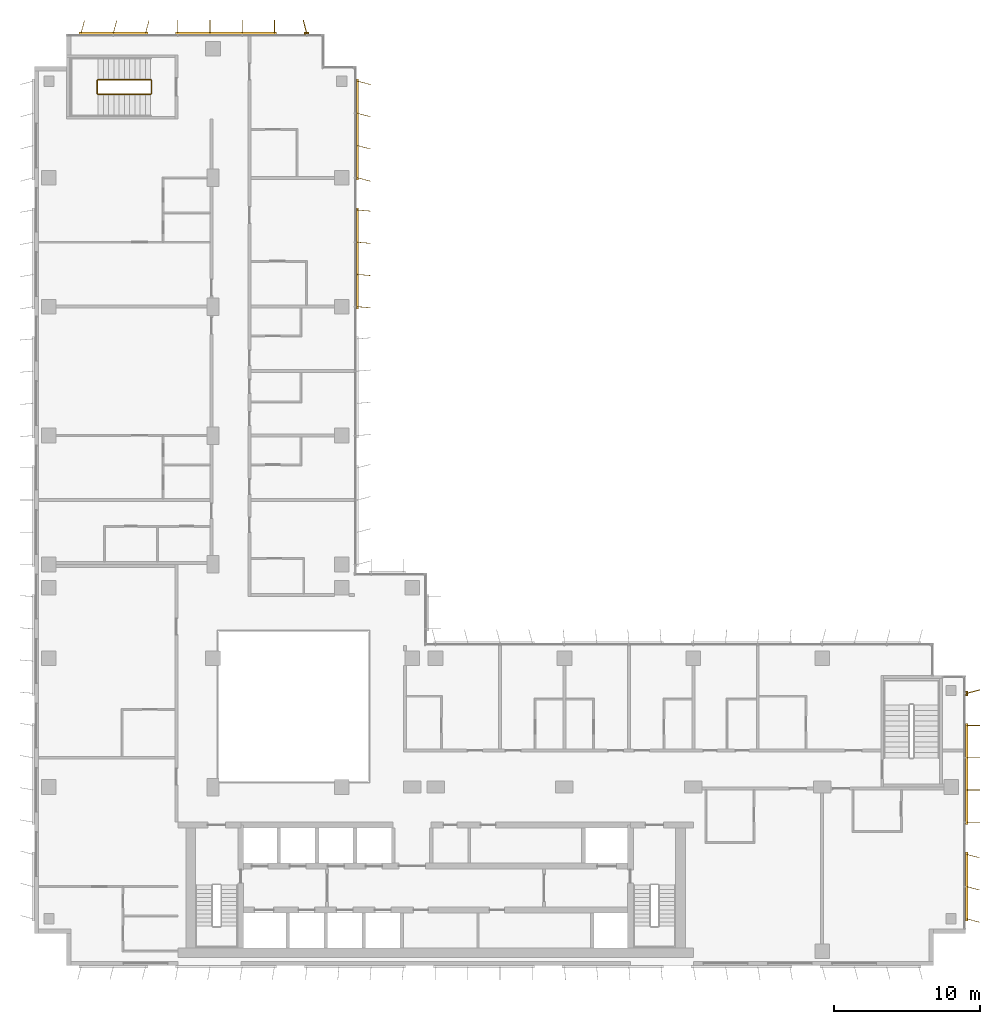
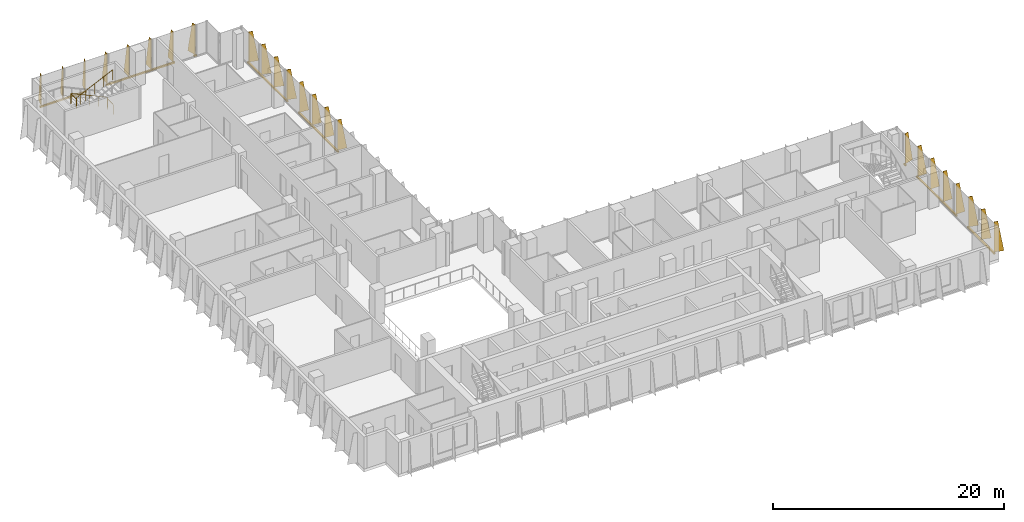
# One storey, part 21 of 21: 8 shading devices, 1 railing.
"""IFC4 building model written with IfcOpenShell, lengths in metres."""

from ifc_helpers import new_model, si_unit, direction, frame, origin, origin_2d, place, context, subcontext, project, spatial, polyline, rectangle, circle, outline, extrude, source, transform, mapped, material, layer, layer_set, type_object, element, save


model = new_model("IFC4")

# Units and contexts
model_context = context("Model", 3, precision=1e-05, world=origin(), true_north=direction((0.0, 1.0)))
body_context = subcontext(model_context, "Body", "Model", "MODEL_VIEW")
ifc_project = project(units=[si_unit("LENGTHUNIT", "METRE"), si_unit("AREAUNIT", "SQUARE_METRE"), si_unit("VOLUMEUNIT", "CUBIC_METRE"), si_unit("PLANEANGLEUNIT", "RADIAN"), si_unit("MASSUNIT", "GRAM", prefix="KILO")], contexts=[model_context])

# Site, building, storey
site_placement = place(None, origin())
site = spatial("IfcSite", under=ifc_project, at=site_placement, CompositionType="ELEMENT")
building_placement = place(site_placement, origin())
building = spatial("IfcBuilding", under=site, at=building_placement, Name="Kemantara Hotel Tower", CompositionType="ELEMENT")
storey_placement = place(building_placement, frame((0.0, 0.0, 171.60009765625)))
storey = spatial("IfcBuildingStorey", under=building, at=storey_placement, Name="L42", CompositionType="ELEMENT", Elevation=171.60009765625)

# Railing
ifc_material_1 = material(Name="Stainless steel balustrade", Category="steel")
railing_type = type_object("IfcRailingType", Name="Stair guard 1100 mm", PredefinedType="GUARDRAIL", material=ifc_material_1)
railing_placement = place(storey_placement, frame((7.949951171875, 59.5, 3.699951171875)))
element("IfcRailing", 1, at=railing_placement, inside=storey, type_object=railing_type, Name="L42 ST4 stair guard 1", PredefinedType="GUARDRAIL", context=body_context, shape_type="SweptSolid", body=[
    extrude(circle(Radius=0.02392578125, at=origin_2d()), frame((0.0, 0.0, 1.076171875), z_axis=(-0.905994681025, 0.0, -0.423289071386), x_axis=(0.0, -1.0, 0.0)), (0.0, 0.0, 1.0), 3.973388671875),
    extrude(circle(Radius=0.02392578125, at=origin_2d()), frame((-3.599853515625, 0.0, -0.60595703125), z_axis=(-0.274243871929, 0.274243871929, -0.92172696468), x_axis=(-0.707106781187, -0.707106781187, 0.0)), (0.0, 0.0, 1.0), 0.1826171875),
    extrude(circle(Radius=0.02392578125, at=origin_2d()), frame((-3.64990234375, 0.050048828125, -0.77392578125), z_axis=(0.0, 1.0, 0.0), x_axis=(-1.0, 0.0, 0.0)), (0.0, 0.0, 1.0), 0.89990234375),
    extrude(circle(Radius=0.02392578125, at=origin_2d()), frame((-3.64990234375, 0.949951171875, -0.77392578125), z_axis=(0.707106781187, 0.707106781187, 0.0), x_axis=(-0.707106781187, 0.707106781187, 0.0)), (0.0, 0.0, 1.0), 0.07080078125),
    extrude(circle(Radius=0.02392578125, at=origin_2d()), frame((-3.599853515625, 1.0, -0.77392578125), z_axis=(0.905994681025, 0.0, -0.423289071386), x_axis=(0.0, 1.0, 0.0)), (0.0, 0.0, 1.0), 3.973388671875),
    extrude(circle(Radius=0.02392578125, at=origin_2d()), frame((0.0, 1.0, -2.4560546875), z_axis=(0.274582412415, -0.274582412415, -0.921525364591), x_axis=(0.707106781187, 0.707106781187, 0.0)), (0.0, 0.0, 1.0), 0.182373046875),
    extrude(circle(Radius=0.02392578125, at=origin_2d()), frame((0.050048828125, 0.949951171875, -2.6240234375), z_axis=(0.0, -1.0, 0.0), x_axis=(1.0, 0.0, 0.0)), (0.0, 0.0, 1.0), 0.89990234375),
    extrude(circle(Radius=0.02099609375, at=origin_2d()), origin(), (0.0, 0.0, 1.0), 1.052001953125),
    extrude(circle(Radius=0.02099609375, at=origin_2d()), frame((-0.89990234375, 0.0, -0.42041015625)), (0.0, 0.0, 1.0), 1.052001953125),
    extrude(circle(Radius=0.02099609375, at=origin_2d()), frame((-1.7998046875, 0.0, -0.8408203125)), (0.0, 0.0, 1.0), 1.052001953125),
    extrude(circle(Radius=0.02099609375, at=origin_2d()), frame((-2.699951171875, 0.0, -1.261474609375)), (0.0, 0.0, 1.0), 1.052001953125),
    extrude(circle(Radius=0.02099609375, at=origin_2d()), frame((-3.599853515625, 0.0, -1.681884765625)), (0.0, 0.0, 1.0), 1.052001953125),
    extrude(circle(Radius=0.02099609375, at=origin_2d()), frame((-3.64990234375, 0.050048828125, -1.85009765625)), (0.0, 0.0, 1.0), 1.052001953125),
    extrude(circle(Radius=0.02099609375, at=origin_2d()), frame((-3.64990234375, 0.949951171875, -1.85009765625)), (0.0, 0.0, 1.0), 1.052001953125),
    extrude(circle(Radius=0.02099609375, at=origin_2d()), frame((-3.599853515625, 1.0, -1.85009765625)), (0.0, 0.0, 1.0), 1.052001953125),
    extrude(circle(Radius=0.02099609375, at=origin_2d()), frame((-2.699951171875, 1.0, -2.2705078125)), (0.0, 0.0, 1.0), 1.052001953125),
    extrude(circle(Radius=0.02099609375, at=origin_2d()), frame((-1.7998046875, 1.0, -2.69091796875)), (0.0, 0.0, 1.0), 1.052001953125),
    extrude(circle(Radius=0.02099609375, at=origin_2d()), frame((-0.89990234375, 1.0, -3.111572265625)), (0.0, 0.0, 1.0), 1.052001953125),
    extrude(circle(Radius=0.02099609375, at=origin_2d()), frame((0.0, 1.0, -3.531982421875)), (0.0, 0.0, 1.0), 1.052001953125),
    extrude(circle(Radius=0.02099609375, at=origin_2d()), frame((0.050048828125, 0.949951171875, -3.699951171875)), (0.0, 0.0, 1.0), 1.052001953125),
    extrude(circle(Radius=0.02099609375, at=origin_2d()), frame((0.050048828125, 0.050048828125, -3.699951171875)), (0.0, 0.0, 1.0), 1.052001953125),
])

# Shading devices
ifc_material_2 = material(Name="Perforated aluminium plate 4 mm bronze anodised", Category="aluminium")
ifc_layer_1 = layer(ifc_material_2, 0.0400390625)
ifc_layer_set_1 = layer_set([ifc_layer_1], Name="Perforated aluminium plate 4 mm bronze anodised")
shading_device_type_1 = type_object("IfcShadingDeviceType", Name="SCREEN FIN CASSETTE, 3 BLADES AT -15.0 DEG, 3200 HIGH", PredefinedType="USERDEFINED", material=ifc_layer_set_1)
shared_shape_1 = source(origin(), body_context, "Body", "SweptSolid", [
    extrude(rectangle(XDim=4.699951171875, YDim=0.14990234375, at=origin_2d()), frame((2.199951171875, -0.074951171875, -0.14990234375), z_axis=(0.0, 0.0, 1.0), x_axis=(1.0, 0.0, 0.0)), (0.0, 0.0, 1.0), 0.14990234375),
    extrude(outline(polyline([(0.0, 0.0), (0.89990234375, 0.0), (0.35009765625, 3.199951171875), (0.0, 3.199951171875), (0.0, 0.0)])), frame((0.019287109375, -0.080078125, 0.0), z_axis=(-0.966437683387, 0.256901156343, 0.0), x_axis=(-0.256901156343, -0.966437683387, 0.0)), (0.0, 0.0, 1.0), 0.039794921875),
    extrude(outline(polyline([(0.0, 0.0), (0.89990234375, 0.0), (0.35009765625, 3.199951171875), (0.0, 3.199951171875), (0.0, 0.0)])), frame((2.21923828125, -0.080078125, 0.0), z_axis=(-0.966437683387, 0.256901156343, 0.0), x_axis=(-0.256901156343, -0.966437683387, 0.0)), (0.0, 0.0, 1.0), 0.039794921875),
    extrude(outline(polyline([(0.0, 0.0), (0.89990234375, 0.0), (0.35009765625, 3.199951171875), (0.0, 3.199951171875), (0.0, 0.0)])), frame((4.41943359375, -0.080078125, 0.0), z_axis=(-0.966837822169, 0.255391122837, 0.0), x_axis=(-0.255391122837, -0.966837822169, 0.0)), (0.0, 0.0, 1.0), 0.0400390625),
])
for number, where, z_axis, x_axis, name in (
    (2, (7.60009765625, 63.60009765625, 0.099853515625), (0.0, 0.0, 1.0), (-1.0, 0.0, 0.0), "SCREEN FIN CASSETTE L42 T3-R02-3"),
    (3, (63.60009765625, 3.199951171875, 0.099853515625), (0.0, 0.0, 1.0), (0.0, 1.0, 0.0), "SCREEN FIN CASSETTE L42 T3-R11-1"),
):
    element("IfcShadingDevice", number, at=place(storey_placement, frame(where, z_axis=z_axis, x_axis=x_axis)), inside=storey, type_object=shading_device_type_1, Name=name, ObjectType="SCREEN FIN", PredefinedType="USERDEFINED", context=body_context, shape_type="MappedRepresentation", body=[
        mapped(shared_shape_1, transform((0.0, 0.0, 0.0))),
    ])
ifc_layer_2 = layer(ifc_material_2, 0.0400390625)
ifc_layer_set_2 = layer_set([ifc_layer_2], Name="Perforated aluminium plate 4 mm bronze anodised")
shading_device_type_2 = type_object("IfcShadingDeviceType", Name="SCREEN FIN CASSETTE, 4 BLADES AT -5.0 DEG, 3200 HIGH", PredefinedType="USERDEFINED", material=ifc_layer_set_2)
shared_shape_2 = source(origin(), body_context, "Body", "SweptSolid", [
    extrude(rectangle(XDim=6.89990234375, YDim=0.14990234375, at=origin_2d()), frame((3.300048828125, -0.074951171875, -0.14990234375), z_axis=(0.0, 0.0, 1.0), x_axis=(1.0, 0.0, 0.0)), (0.0, 0.0, 1.0), 0.14990234375),
    extrude(outline(polyline([(0.0, 0.0), (0.89990234375, 0.0), (0.35009765625, 3.199951171875), (0.0, 3.199951171875), (0.0, 0.0)])), frame((0.02001953125, -0.07666015625, 0.0), z_axis=(-0.996376129781, 0.085056498884, 0.0), x_axis=(-0.085056498884, -0.996376129781, 0.0)), (0.0, 0.0, 1.0), 0.040283203125),
    extrude(outline(polyline([(0.0, 0.0), (0.89990234375, 0.0), (0.35009765625, 3.199951171875), (0.0, 3.199951171875), (0.0, 0.0)])), frame((2.219970703125, -0.07666015625, 0.0), z_axis=(-0.996331773833, 0.085574508182, 0.0), x_axis=(-0.085574508182, -0.996331773833, 0.0)), (0.0, 0.0, 1.0), 0.0400390625),
    extrude(outline(polyline([(0.0, 0.0), (0.89990234375, 0.0), (0.35009765625, 3.199951171875), (0.0, 3.199951171875), (0.0, 0.0)])), frame((4.419921875, -0.07666015625, 0.0), z_axis=(-0.996331773833, 0.085574508182, 0.0), x_axis=(-0.085574508182, -0.996331773833, 0.0)), (0.0, 0.0, 1.0), 0.0400390625),
    extrude(outline(polyline([(0.0, 0.0), (0.89990234375, 0.0), (0.35009765625, 3.199951171875), (0.0, 3.199951171875), (0.0, 0.0)])), frame((6.619873046875, -0.07666015625, 0.0), z_axis=(-0.996331773833, 0.085574508182, 0.0), x_axis=(-0.085574508182, -0.996331773833, 0.0)), (0.0, 0.0, 1.0), 0.0400390625),
])
shading_device_1_placement = place(storey_placement, frame((22.0, 45.0, 0.099853515625), z_axis=(0.0, 0.0, 1.0), x_axis=(0.0, 1.0, 0.0)))
element("IfcShadingDevice", 4, at=shading_device_1_placement, inside=storey, type_object=shading_device_type_2, Name="SCREEN FIN CASSETTE L42 T3-R17-3", ObjectType="SCREEN FIN", PredefinedType="USERDEFINED", context=body_context, shape_type="MappedRepresentation", body=[
    mapped(shared_shape_2, transform((0.0, 0.0, 0.0))),
])
ifc_layer_3 = layer(ifc_material_2, 0.0400390625)
ifc_layer_set_3 = layer_set([ifc_layer_3], Name="Perforated aluminium plate 4 mm bronze anodised")
shading_device_type_3 = type_object("IfcShadingDeviceType", Name="SCREEN FIN CASSETTE, 4 BLADES AT +0.0 DEG, 3200 HIGH", PredefinedType="USERDEFINED", material=ifc_layer_set_3)
shared_shape_3 = source(origin(), body_context, "Body", "SweptSolid", [
    extrude(rectangle(XDim=6.89990234375, YDim=0.14990234375, at=origin_2d()), frame((3.300048828125, -0.074951171875, -0.14990234375), z_axis=(0.0, 0.0, 1.0), x_axis=(1.0, 0.0, 0.0)), (0.0, 0.0, 1.0), 0.14990234375),
    extrude(outline(polyline([(0.0, 0.0), (0.89990234375, 0.0), (0.35009765625, 3.199951171875), (0.0, 3.199951171875), (0.0, 0.0)])), frame((0.02001953125, -0.074951171875, 0.0), z_axis=(-1.0, 0.0, 0.0), x_axis=(0.0, -1.0, 0.0)), (0.0, 0.0, 1.0), 0.0400390625),
    extrude(outline(polyline([(0.0, 0.0), (0.89990234375, 0.0), (0.35009765625, 3.199951171875), (0.0, 3.199951171875), (0.0, 0.0)])), frame((2.219970703125, -0.074951171875, 0.0), z_axis=(-1.0, 0.0, 0.0), x_axis=(0.0, -1.0, 0.0)), (0.0, 0.0, 1.0), 0.0400390625),
    extrude(outline(polyline([(0.0, 0.0), (0.89990234375, 0.0), (0.35009765625, 3.199951171875), (0.0, 3.199951171875), (0.0, 0.0)])), frame((4.419921875, -0.074951171875, 0.0), z_axis=(-1.0, 0.0, 0.0), x_axis=(0.0, -1.0, 0.0)), (0.0, 0.0, 1.0), 0.0400390625),
    extrude(outline(polyline([(0.0, 0.0), (0.89990234375, 0.0), (0.35009765625, 3.199951171875), (0.0, 3.199951171875), (0.0, 0.0)])), frame((6.6201171875, -0.074951171875, 0.0), z_axis=(-1.0, 0.0, 0.0), x_axis=(0.0, -1.0, 0.0)), (0.0, 0.0, 1.0), 0.0400390625),
])
for number, where, z_axis, x_axis, name in (
    (5, (16.39990234375, 63.60009765625, 0.099853515625), (0.0, 0.0, 1.0), (-1.0, 0.0, 0.0), "SCREEN FIN CASSETTE L42 T3-R02-2"),
    (6, (63.60009765625, 9.800048828125, 0.099853515625), (0.0, 0.0, 1.0), (0.0, 1.0, 0.0), "SCREEN FIN CASSETTE L42 T3-R11-2"),
):
    element("IfcShadingDevice", number, at=place(storey_placement, frame(where, z_axis=z_axis, x_axis=x_axis)), inside=storey, type_object=shading_device_type_3, Name=name, ObjectType="SCREEN FIN", PredefinedType="USERDEFINED", context=body_context, shape_type="MappedRepresentation", body=[
        mapped(shared_shape_3, transform((0.0, 0.0, 0.0))),
    ])
ifc_layer_4 = layer(ifc_material_2, 0.0400390625)
ifc_layer_set_4 = layer_set([ifc_layer_4], Name="Perforated aluminium plate 4 mm bronze anodised")
shading_device_type_4 = type_object("IfcShadingDeviceType", Name="SCREEN FIN CASSETTE, 4 BLADES AT -15.0 DEG, 3200 HIGH", PredefinedType="USERDEFINED", material=ifc_layer_set_4)
shared_shape_4 = source(origin(), body_context, "Body", "SweptSolid", [
    extrude(rectangle(XDim=6.89990234375, YDim=0.14990234375, at=origin_2d()), frame((3.300048828125, -0.074951171875, -0.14990234375), z_axis=(0.0, 0.0, 1.0), x_axis=(1.0, 0.0, 0.0)), (0.0, 0.0, 1.0), 0.14990234375),
    extrude(outline(polyline([(0.0, 0.0), (0.89990234375, 0.0), (0.35009765625, 3.199951171875), (0.0, 3.199951171875), (0.0, 0.0)])), frame((0.019287109375, -0.080078125, 0.0), z_axis=(-0.966437683387, 0.256901156343, 0.0), x_axis=(-0.256901156343, -0.966437683387, 0.0)), (0.0, 0.0, 1.0), 0.039794921875),
    extrude(outline(polyline([(0.0, 0.0), (0.89990234375, 0.0), (0.35009765625, 3.199951171875), (0.0, 3.199951171875), (0.0, 0.0)])), frame((2.21923828125, -0.080078125, 0.0), z_axis=(-0.966437683387, 0.256901156343, 0.0), x_axis=(-0.256901156343, -0.966437683387, 0.0)), (0.0, 0.0, 1.0), 0.039794921875),
    extrude(outline(polyline([(0.0, 0.0), (0.89990234375, 0.0), (0.35009765625, 3.199951171875), (0.0, 3.199951171875), (0.0, 0.0)])), frame((4.41943359375, -0.080078125, 0.0), z_axis=(-0.966837822169, 0.255391122837, 0.0), x_axis=(-0.255391122837, -0.966837822169, 0.0)), (0.0, 0.0, 1.0), 0.0400390625),
    extrude(outline(polyline([(0.0, 0.0), (0.89990234375, 0.0), (0.35009765625, 3.199951171875), (0.0, 3.199951171875), (0.0, 0.0)])), frame((6.619384765625, -0.080078125, 0.0), z_axis=(-0.966837822169, 0.255391122837, 0.0), x_axis=(-0.255391122837, -0.966837822169, 0.0)), (0.0, 0.0, 1.0), 0.0400390625),
])
shading_device_2_placement = place(storey_placement, frame((22.0, 53.800048828125, 0.099853515625), z_axis=(0.0, 0.0, 1.0), x_axis=(0.0, 1.0, 0.0)))
element("IfcShadingDevice", 7, at=shading_device_2_placement, inside=storey, type_object=shading_device_type_4, Name="SCREEN FIN CASSETTE L42 T3-R17-4", ObjectType="SCREEN FIN", PredefinedType="USERDEFINED", context=body_context, shape_type="MappedRepresentation", body=[
    mapped(shared_shape_4, transform((0.0, 0.0, 0.0))),
])
ifc_layer_5 = layer(ifc_material_2, 0.0400390625)
ifc_layer_set_5 = layer_set([ifc_layer_5], Name="Perforated aluminium plate 4 mm bronze anodised")
shading_device_type_5 = type_object("IfcShadingDeviceType", Name="SCREEN FIN CASSETTE, 1 BLADE AT +15.0 DEG, 3200 HIGH", PredefinedType="USERDEFINED", material=ifc_layer_set_5)
shared_shape_5 = source(origin(), body_context, "Body", "SweptSolid", [
    extrude(rectangle(XDim=0.300048828125, YDim=0.14990234375, at=origin_2d()), frame((0.0, -0.074951171875, -0.14990234375), z_axis=(0.0, 0.0, 1.0), x_axis=(1.0, 0.0, 0.0)), (0.0, 0.0, 1.0), 0.14990234375),
    extrude(outline(polyline([(0.0, 0.0), (0.89990234375, 0.0), (0.35009765625, 3.199951171875), (0.0, 3.199951171875), (0.0, 0.0)])), frame((0.019287109375, -0.06982421875, 0.0), z_axis=(-0.966437683387, -0.256901156343, 0.0), x_axis=(0.256901156343, -0.966437683387, 0.0)), (0.0, 0.0, 1.0), 0.039794921875),
])
for number, where, z_axis, x_axis, name in (
    (8, (18.60009765625, 63.60009765625, 0.099853515625), (0.0, 0.0, 1.0), (-1.0, 0.0, 0.0), "SCREEN FIN CASSETTE L42 T3-R02-1"),
    (9, (63.60009765625, 18.60009765625, 0.099853515625), (0.0, 0.0, 1.0), (0.0, 1.0, 0.0), "SCREEN FIN CASSETTE L42 T3-R11-3"),
):
    element("IfcShadingDevice", number, at=place(storey_placement, frame(where, z_axis=z_axis, x_axis=x_axis)), inside=storey, type_object=shading_device_type_5, Name=name, ObjectType="SCREEN FIN", PredefinedType="USERDEFINED", context=body_context, shape_type="MappedRepresentation", body=[
        mapped(shared_shape_5, transform((0.0, 0.0, 0.0))),
    ])

save(model, "model.ifc")
